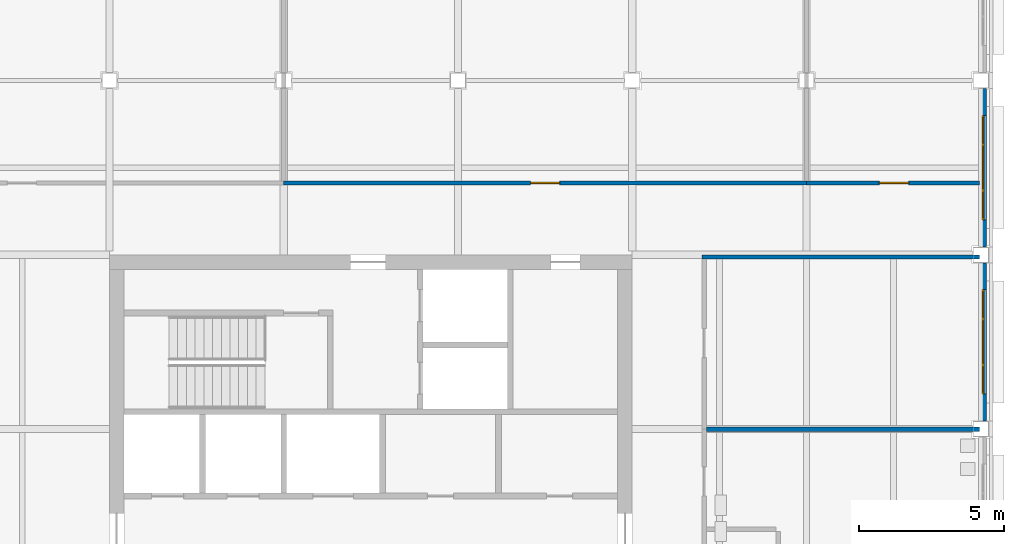
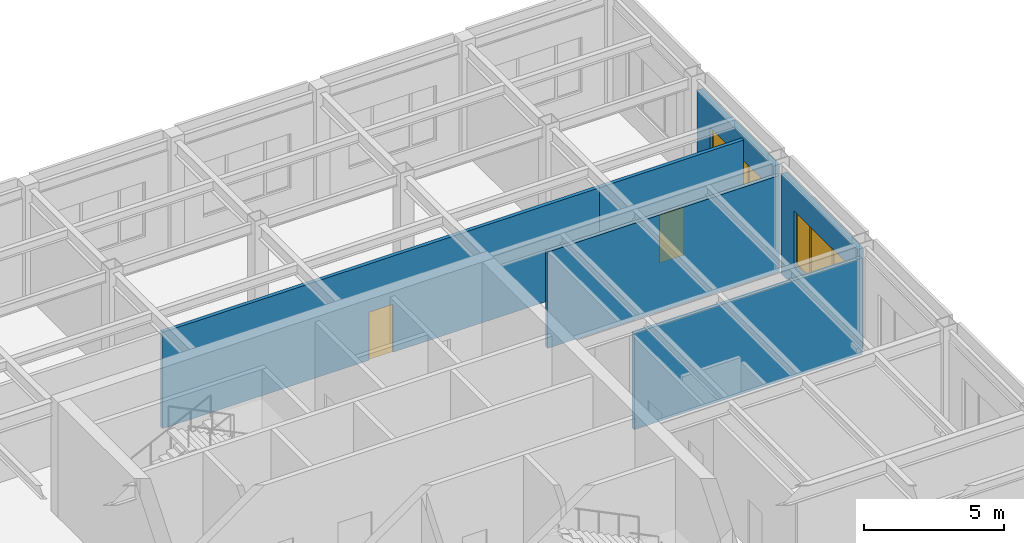
# One storey, part 44 of 76: 6 walls, 2 doors, 2 windows, 4 openings.
"""IFC4 building model written with IfcOpenShell, lengths in metres."""

from ifc_helpers import new_model, si_unit, direction, frame, frame_2d, origin, place, context, subcontext, project, spatial, polyline, rectangle, outline, extrude, material, layer, layer_set, type_object, element, fill, save


model = new_model("IFC4")

# Units and contexts
model_context = context("Model", 3, precision=1e-05, world=origin(), true_north=direction((0.0, 1.0)))
body_context = subcontext(model_context, "Body", "Model", "MODEL_VIEW")
ifc_project = project(units=[si_unit("LENGTHUNIT", "METRE"), si_unit("AREAUNIT", "SQUARE_METRE"), si_unit("VOLUMEUNIT", "CUBIC_METRE"), si_unit("PLANEANGLEUNIT", "RADIAN"), si_unit("MASSUNIT", "GRAM", prefix="KILO")], contexts=[model_context])

# Site, building, storey
site_placement = place(None, origin())
site = spatial("IfcSite", under=ifc_project, at=site_placement, CompositionType="ELEMENT")
building_placement = place(site_placement, origin())
building = spatial("IfcBuilding", under=site, at=building_placement, Name="Aravalli Gate Trade Fair Centre", CompositionType="ELEMENT")
storey_placement = place(building_placement, frame((0.0, 0.0, 10.0)))
storey = spatial("IfcBuildingStorey", under=building, at=storey_placement, Name="L02", CompositionType="ELEMENT", Elevation=10.0)

# Wall, opening, door
ifc_material_1 = material(Name="Blockwork with fire-rated lining", Category="masonry")
ifc_layer_1 = layer(ifc_material_1, 0.14990234375)
ifc_layer_set_1 = layer_set([ifc_layer_1], Name="Blockwork with fire-rated lining")
wall_type_1 = type_object("IfcWallType", Name="Wing partition 150 (EI 60, corridor wall)", PredefinedType="PARTITIONING", material=ifc_layer_set_1)
wall_1_placement = place(storey_placement, frame((178.0, 123.47509765625, 0.0), z_axis=(0.0, 0.0, 1.0), x_axis=(1.0, 0.0, 0.0)))
wall_1 = element("IfcWall", 1, at=wall_1_placement, inside=storey, type_object=wall_type_1, Name="Partition NW2 L02", PredefinedType="PARTITIONING", context=body_context, shape_type="SweptSolid", body=[
    extrude(rectangle(XDim=18.0, YDim=0.14990234375, at=frame_2d((9.0, 0.0))), origin(), (0.0, 0.0, 1.0), 4.199951171875),
])
opening_1_placement = place(wall_1_placement, frame((8.5, 0.0, 0.0)))
opening_1 = element("IfcOpeningElement", 2, at=opening_1_placement, cuts=wall_1, Name="Opening T-L02-149", PredefinedType="OPENING", context=body_context, shape_type="SweptSolid", body=[
    extrude(rectangle(XDim=1.0, YDim=2.10009765625, at=frame_2d((0.5, 1.050048828125))), frame((0.0, 0.0849609375, 0.0), z_axis=(0.0, -1.0, 0.0), x_axis=(1.0, 0.0, 0.0)), (0.0, 0.0, 1.0), 0.169921875),
])
ifc_material_2 = material(Name="Steel, fire rated", Category="steel")
door_type = type_object("IfcDoorType", Name="Wing fire door FD60 1000 x 2100", OperationType="SINGLE_SWING_LEFT", PredefinedType="DOOR", material=ifc_material_2)
door_1_placement = place(opening_1_placement, origin())
door_1 = element("IfcDoor", 3, at=door_1_placement, inside=storey, type_object=door_type, Name="Door T-L02-149", OperationType="SINGLE_SWING_LEFT", OverallHeight=2.10009765625, OverallWidth=1.0, PredefinedType="DOOR", context=body_context, shape_type="SweptSolid", body=[
    extrude(rectangle(XDim=1.0, YDim=2.10009765625, at=frame_2d((0.5, 1.050048828125))), frame((0.0, 0.02490234375, 0.0), z_axis=(0.0, -1.0, 0.0), x_axis=(1.0, 0.0, 0.0)), (0.0, 0.0, 1.0), 0.050048828125),
])
fill(opening_1, door_1)

wall_2_placement = place(storey_placement, frame((196.0, 123.47509765625, 0.0), z_axis=(0.0, 0.0, 1.0), x_axis=(1.0, 0.0, 0.0)))
wall_2 = element("IfcWall", 4, at=wall_2_placement, inside=storey, type_object=wall_type_1, Name="Partition NW3 L02", PredefinedType="PARTITIONING", context=body_context, shape_type="SweptSolid", body=[
    extrude(rectangle(XDim=5.949951171875, YDim=0.14990234375, at=frame_2d((2.97509765625, 0.0))), origin(), (0.0, 0.0, 1.0), 4.199951171875),
])
opening_2_placement = place(wall_2_placement, frame((2.512451171875, 0.0, 0.0)))
opening_2 = element("IfcOpeningElement", 5, at=opening_2_placement, cuts=wall_2, Name="Opening T-L02-150", PredefinedType="OPENING", context=body_context, shape_type="SweptSolid", body=[
    extrude(rectangle(XDim=1.0, YDim=2.10009765625, at=frame_2d((0.5, 1.050048828125))), frame((0.0, 0.0849609375, 0.0), z_axis=(0.0, -1.0, 0.0), x_axis=(1.0, 0.0, 0.0)), (0.0, 0.0, 1.0), 0.169921875),
])
door_2_placement = place(opening_2_placement, origin())
door_2 = element("IfcDoor", 6, at=door_2_placement, inside=storey, type_object=door_type, Name="Door T-L02-150", OperationType="SINGLE_SWING_RIGHT", OverallHeight=2.10009765625, OverallWidth=1.0, PredefinedType="DOOR", context=body_context, shape_type="SweptSolid", body=[
    extrude(rectangle(XDim=1.0, YDim=2.10009765625, at=frame_2d((0.5, 1.050048828125))), frame((0.0, 0.02490234375, 0.0), z_axis=(0.0, -1.0, 0.0), x_axis=(1.0, 0.0, 0.0)), (0.0, 0.0, 1.0), 0.050048828125),
])
fill(opening_2, door_2)

# Walls
wall_3_placement = place(storey_placement, frame((192.550048828125, 115.0, 0.0), z_axis=(0.0, 0.0, 1.0), x_axis=(1.0, 0.0, 0.0)))
element("IfcWall", 7, at=wall_3_placement, inside=storey, type_object=wall_type_1, Name="Partition EP2 L02", PredefinedType="PARTITIONING", context=body_context, shape_type="SweptSolid", body=[
    extrude(rectangle(XDim=9.39990234375, YDim=0.14990234375, at=frame_2d((4.699951171875, 0.0))), origin(), (0.0, 0.0, 1.0), 4.199951171875),
])
wall_4_placement = place(storey_placement, frame((192.39990234375, 120.925048828125, 0.0), z_axis=(0.0, 0.0, 1.0), x_axis=(1.0, 0.0, 0.0)))
element("IfcWall", 8, at=wall_4_placement, inside=storey, type_object=wall_type_1, Name="Partition CL-NE L02", PredefinedType="PARTITIONING", context=body_context, shape_type="SweptSolid", body=[
    extrude(rectangle(XDim=9.550048828125, YDim=0.14990234375, at=frame_2d((4.77490234375, 0.0))), origin(), (0.0, 0.0, 1.0), 4.199951171875),
])

# Wall, opening, window
ifc_material_3 = material(Name="Concrete block masonry", Category="masonry")
ifc_layer_2 = layer(ifc_material_3, 0.2099609375, Name="Block masonry")
ifc_material_4 = material(Name="Terracotta cladding", Category="masonry")
ifc_layer_3 = layer(ifc_material_4, 0.0400390625, Name="Terracotta cladding")
ifc_layer_set_2 = layer_set([ifc_layer_2, ifc_layer_3], Name="Wing terracotta clad infill wall 250")
wall_type_2 = type_object("IfcWallType", Name="Wing terracotta clad infill wall 250", PredefinedType="SOLIDWALL", material=ifc_layer_set_2)
wall_5_placement = place(storey_placement, frame((202.074951171875, 115.27490234375, 0.0), z_axis=(0.0, 0.0, 1.0), x_axis=(0.0, 1.0, 0.0)))
wall_5 = element("IfcWall", 9, at=wall_5_placement, inside=storey, type_object=wall_type_2, Name="Facade wall E4 L02", PredefinedType="SOLIDWALL", context=body_context, shape_type="SweptSolid", body=[
    extrude(rectangle(XDim=5.4501953125, YDim=0.25, at=frame_2d((2.72509765625, 0.0))), origin(), (0.0, 0.0, 1.0), 4.35009765625),
])
opening_3_placement = place(wall_5_placement, frame((0.925048828125, 0.0, 0.89990234375)))
opening_3 = element("IfcOpeningElement", 10, at=opening_3_placement, cuts=wall_5, Name="Opening TWN1", PredefinedType="OPENING", context=body_context, shape_type="SweptSolid", body=[
    extrude(rectangle(XDim=3.60009765625, YDim=2.39990234375, at=frame_2d((1.800048828125, 1.199951171875))), frame((0.0, 0.135009765625, 0.0), z_axis=(0.0, -1.0, 0.0), x_axis=(1.0, 0.0, 0.0)), (0.0, 0.0, 1.0), 0.27001953125),
])
ifc_material_5 = material(Name="Aluminium and glass", Category="aluminium")
window_type = type_object("IfcWindowType", Name="Wing chicago window 3600 x 2400", PartitioningType="TRIPLE_PANEL_VERTICAL", PredefinedType="WINDOW", material=ifc_material_5)
window_1_placement = place(opening_3_placement, origin())
window_1 = element("IfcWindow", 11, at=window_1_placement, inside=storey, type_object=window_type, Name="Window E4 L02", OverallHeight=2.39990234375, OverallWidth=3.60009765625, PartitioningType="TRIPLE_PANEL_VERTICAL", PredefinedType="WINDOW", context=body_context, shape_type="SweptSolid", body=[
    extrude(outline(polyline([(0.0, 0.0), (3.60009765625, 0.0), (3.60009765625, 2.39990234375), (0.0, 2.39990234375), (0.0, 0.0)]), holes=[polyline([(0.06005859375, 0.06005859375), (0.9599609375, 0.06005859375), (0.9599609375, 2.33984375), (0.06005859375, 2.33984375), (0.06005859375, 0.06005859375)]), polyline([(1.06005859375, 0.06005859375), (2.539794921875, 0.06005859375), (2.539794921875, 2.33984375), (1.06005859375, 2.33984375), (1.06005859375, 0.06005859375)]), polyline([(2.639892578125, 0.06005859375), (3.539794921875, 0.06005859375), (3.539794921875, 2.33984375), (2.639892578125, 2.33984375), (2.639892578125, 0.06005859375)])]), frame((0.0, 0.030029296875, 0.0), z_axis=(0.0, -1.0, 0.0), x_axis=(1.0, 0.0, 0.0)), (0.0, 0.0, 1.0), 0.06005859375),
    extrude(rectangle(XDim=0.923828125, YDim=2.3037109375, at=frame_2d((0.510009765625, 1.199951171875))), frame((0.0, 0.010009765625, 0.0), z_axis=(0.0, -1.0, 0.0), x_axis=(1.0, 0.0, 0.0)), (0.0, 0.0, 1.0), 0.02001953125),
    extrude(rectangle(XDim=1.503662109375, YDim=2.3037109375, at=frame_2d((1.7998046875, 1.199951171875))), frame((0.0, 0.010009765625, 0.0), z_axis=(0.0, -1.0, 0.0), x_axis=(1.0, 0.0, 0.0)), (0.0, 0.0, 1.0), 0.02001953125),
    extrude(rectangle(XDim=0.923828125, YDim=2.3037109375, at=frame_2d((3.08984375, 1.199951171875))), frame((0.0, 0.010009765625, 0.0), z_axis=(0.0, -1.0, 0.0), x_axis=(1.0, 0.0, 0.0)), (0.0, 0.0, 1.0), 0.02001953125),
])
fill(opening_3, window_1)

wall_6_placement = place(storey_placement, frame((202.074951171875, 121.27490234375, 0.0), z_axis=(0.0, 0.0, 1.0), x_axis=(0.0, 1.0, 0.0)))
wall_6 = element("IfcWall", 12, at=wall_6_placement, inside=storey, type_object=wall_type_2, Name="Facade wall E5 L02", PredefinedType="SOLIDWALL", context=body_context, shape_type="SweptSolid", body=[
    extrude(rectangle(XDim=5.4501953125, YDim=0.25, at=frame_2d((2.72509765625, 0.0))), origin(), (0.0, 0.0, 1.0), 4.35009765625),
])
opening_4_placement = place(wall_6_placement, frame((0.925048828125, 0.0, 0.89990234375)))
opening_4 = element("IfcOpeningElement", 13, at=opening_4_placement, cuts=wall_6, Name="Opening TWN1", PredefinedType="OPENING", context=body_context, shape_type="SweptSolid", body=[
    extrude(rectangle(XDim=3.60009765625, YDim=2.39990234375, at=frame_2d((1.800048828125, 1.199951171875))), frame((0.0, 0.135009765625, 0.0), z_axis=(0.0, -1.0, 0.0), x_axis=(1.0, 0.0, 0.0)), (0.0, 0.0, 1.0), 0.27001953125),
])
window_2_placement = place(opening_4_placement, origin())
window_2 = element("IfcWindow", 14, at=window_2_placement, inside=storey, type_object=window_type, Name="Window E5 L02", OverallHeight=2.39990234375, OverallWidth=3.60009765625, PartitioningType="TRIPLE_PANEL_VERTICAL", PredefinedType="WINDOW", context=body_context, shape_type="SweptSolid", body=[
    extrude(outline(polyline([(0.0, 0.0), (3.60009765625, 0.0), (3.60009765625, 2.39990234375), (0.0, 2.39990234375), (0.0, 0.0)]), holes=[polyline([(0.06005859375, 0.06005859375), (0.9599609375, 0.06005859375), (0.9599609375, 2.33984375), (0.06005859375, 2.33984375), (0.06005859375, 0.06005859375)]), polyline([(1.06005859375, 0.06005859375), (2.539794921875, 0.06005859375), (2.539794921875, 2.33984375), (1.06005859375, 2.33984375), (1.06005859375, 0.06005859375)]), polyline([(2.639892578125, 0.06005859375), (3.539794921875, 0.06005859375), (3.539794921875, 2.33984375), (2.639892578125, 2.33984375), (2.639892578125, 0.06005859375)])]), frame((0.0, 0.030029296875, 0.0), z_axis=(0.0, -1.0, 0.0), x_axis=(1.0, 0.0, 0.0)), (0.0, 0.0, 1.0), 0.06005859375),
    extrude(rectangle(XDim=0.923828125, YDim=2.3037109375, at=frame_2d((0.510009765625, 1.199951171875))), frame((0.0, 0.010009765625, 0.0), z_axis=(0.0, -1.0, 0.0), x_axis=(1.0, 0.0, 0.0)), (0.0, 0.0, 1.0), 0.02001953125),
    extrude(rectangle(XDim=1.503662109375, YDim=2.3037109375, at=frame_2d((1.7998046875, 1.199951171875))), frame((0.0, 0.010009765625, 0.0), z_axis=(0.0, -1.0, 0.0), x_axis=(1.0, 0.0, 0.0)), (0.0, 0.0, 1.0), 0.02001953125),
    extrude(rectangle(XDim=0.923828125, YDim=2.3037109375, at=frame_2d((3.08984375, 1.199951171875))), frame((0.0, 0.010009765625, 0.0), z_axis=(0.0, -1.0, 0.0), x_axis=(1.0, 0.0, 0.0)), (0.0, 0.0, 1.0), 0.02001953125),
])
fill(opening_4, window_2)

save(model, "model.ifc")
